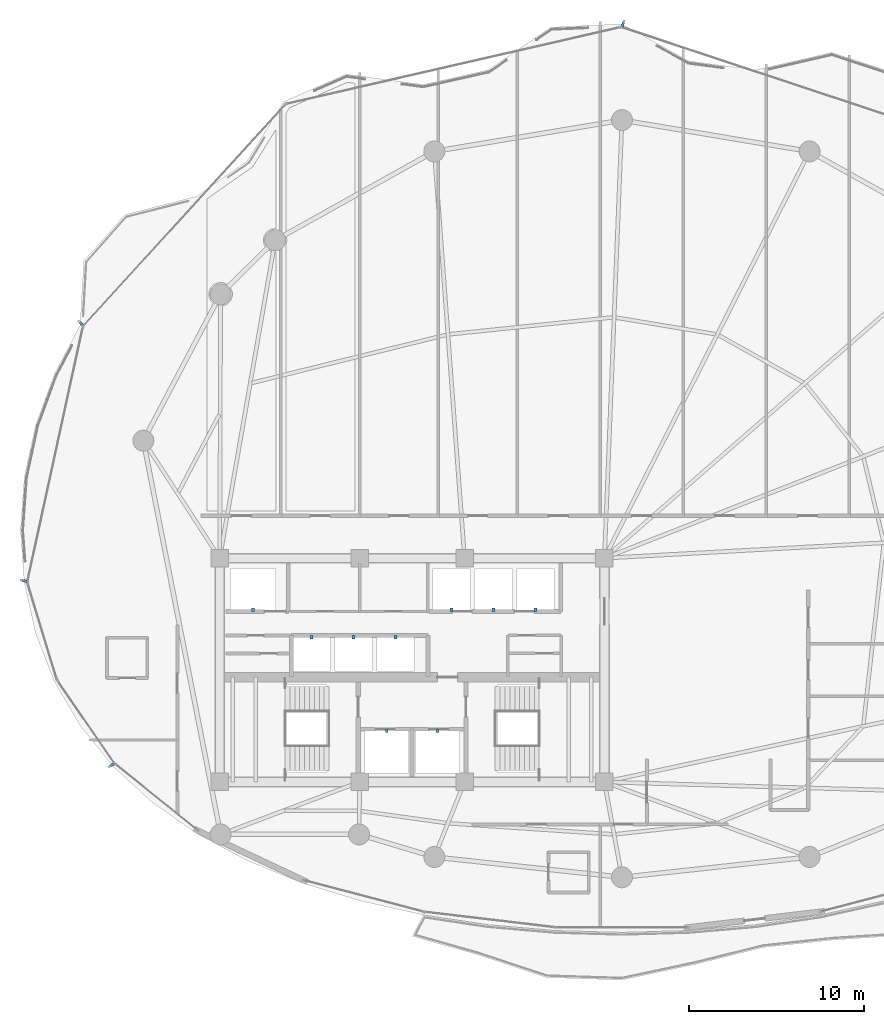
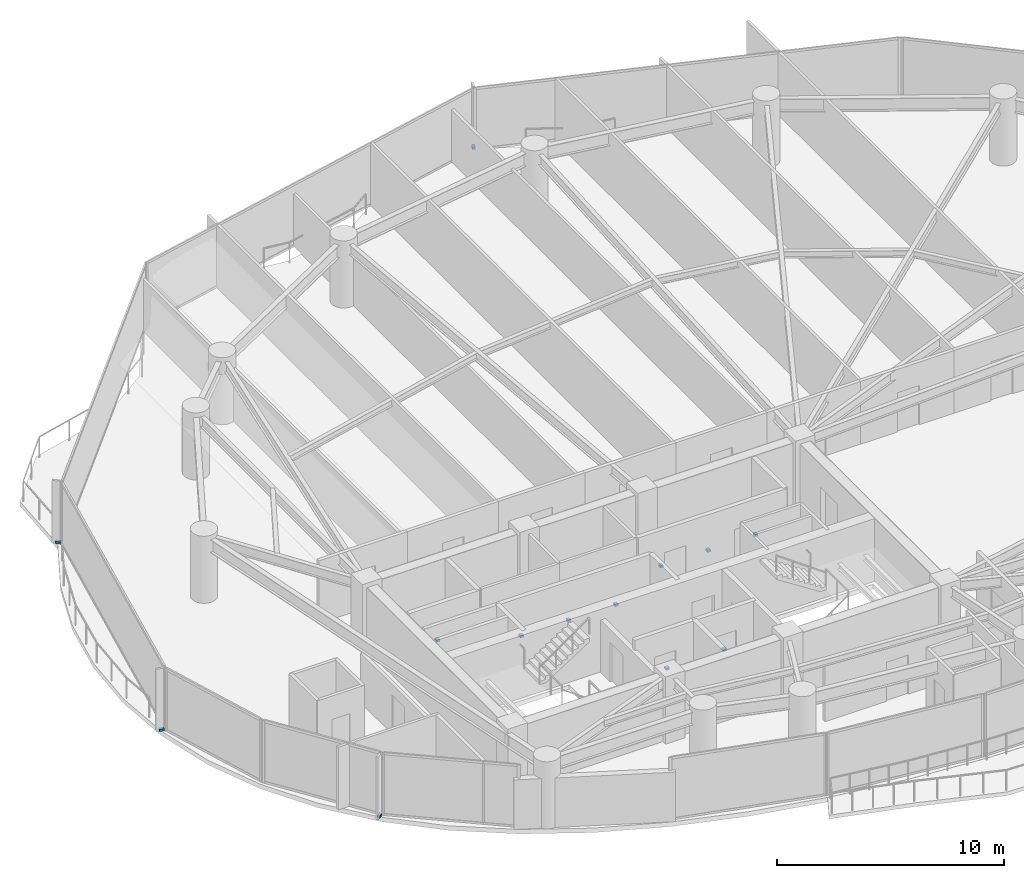
# One storey, part 29 of 34: 13 discrete accessories.
"""IFC4 building model written with IfcOpenShell, lengths in metres."""

import ifcopenshell
import ifcopenshell.guid

model = None  # the IFC model being written
_history = None  # IfcOwnerHistory: only IFC2X3 demands one
_inside = {}  # id of a spatial element -> (the spatial element, [elements in it])
_under = {}  # id of a project, library or spatial element -> (it, [spatial elements below it])
_declared = {}  # id of a project -> (the project, [libraries it declares])
_typed = {}  # id of a type object -> (the type object, [elements of that type])
_made_of = {}  # id of a material, layer set ... -> (it, [elements and type objects made of it])


def new_model(schema):
    """Start an empty IFC model of exactly this schema.

    Asked for "IFC4X3", IfcOpenShell would pick the latest addendum, in which some entities
    have other attributes; the version numbers below select the first issue.
    IFC2X3 requires an IfcOwnerHistory on every rooted entity: one is made here for all.
    """
    global model, _history
    if schema == "IFC4X3":
        model = ifcopenshell.file(schema_version=(4, 3, 0, 0))
    else:
        model = ifcopenshell.file(schema=schema)
    _inside.clear()
    _under.clear()
    _declared.clear()
    _typed.clear()
    _made_of.clear()
    _history = None
    if model.schema == "IFC2X3":
        org = make("IfcOrganization", Name="unknown")
        user = make(
            "IfcPersonAndOrganization",
            ThePerson=make("IfcPerson", FamilyName="unknown"),
            TheOrganization=org,
        )
        app = make(
            "IfcApplication",
            ApplicationDeveloper=org,
            Version="unknown",
            ApplicationFullName="unknown",
            ApplicationIdentifier="unknown",
        )
        _history = make(
            "IfcOwnerHistory",
            OwningUser=user,
            OwningApplication=app,
            ChangeAction="ADDED",
            CreationDate=0,
        )
    return model


def make(cls, **values):
    """One entity of the class cls with the attributes given. An attribute that is None is left unset."""
    return model.create_entity(
        cls, **{name: value for name, value in values.items() if value is not None}
    )


def rooted(cls, **values):
    """An entity with a GlobalId (a new one), such as an element, a storey or a relation."""
    return make(cls, GlobalId=ifcopenshell.guid.new(), OwnerHistory=_history, **values)


def si_unit(unit_type, name, prefix=None):
    """IfcSIUnit, for example si_unit("LENGTHUNIT", "METRE", prefix="MILLI")."""
    return make("IfcSIUnit", UnitType=unit_type, Prefix=prefix, Name=name)


def assignment(units):
    """IfcUnitAssignment: the units of a project."""
    return None if units is None else make("IfcUnitAssignment", Units=units)


def point(xyz):
    """IfcCartesianPoint."""
    return None if xyz is None else make("IfcCartesianPoint", Coordinates=xyz)


def direction(xyz):
    """IfcDirection."""
    return None if xyz is None else make("IfcDirection", DirectionRatios=xyz)


def frame(location, z_axis=None, x_axis=None):
    """IfcAxis2Placement3D, a coordinate frame: its origin and axes. An axis left out is left unset."""
    return make(
        "IfcAxis2Placement3D",
        Location=point(location),
        Axis=direction(z_axis),
        RefDirection=direction(x_axis),
    )


def frame_2d(location, x_axis=None):
    """IfcAxis2Placement2D, a coordinate frame in the plane: its origin and x axis."""
    return make(
        "IfcAxis2Placement2D", Location=point(location), RefDirection=direction(x_axis)
    )


def origin():
    """The frame at (0, 0, 0) with its axes left unset."""
    return frame((0.0, 0.0, 0.0))


def origin_2d():
    """The frame at (0, 0) in the plane with its x axis left unset."""
    return frame_2d((0.0, 0.0))


def place(relative_to, where):
    """IfcLocalPlacement: puts the frame where relative to a parent placement (None: the world)."""
    return make(
        "IfcLocalPlacement", PlacementRelTo=relative_to, RelativePlacement=where
    )


def context(
    kind, dimensions, precision=None, world=None, true_north=None, identifier=None
):
    """IfcGeometricRepresentationContext, for example the 3D "Model" context."""
    return make(
        "IfcGeometricRepresentationContext",
        ContextIdentifier=identifier,
        ContextType=kind,
        CoordinateSpaceDimension=dimensions,
        Precision=precision,
        WorldCoordinateSystem=world,
        TrueNorth=true_north,
    )


def subcontext(parent, identifier, kind, view, scale=None):
    """IfcGeometricRepresentationSubContext, for example "Body" below "Model"."""
    return make(
        "IfcGeometricRepresentationSubContext",
        ContextIdentifier=identifier,
        ContextType=kind,
        ParentContext=parent,
        TargetScale=scale,
        TargetView=view,
    )


def project(units=None, contexts=None):
    """IfcProject with its units and contexts."""
    return rooted(
        "IfcProject",
        Name="project",
        RepresentationContexts=contexts,
        UnitsInContext=assignment(units),
    )


def spatial(cls, under=None, at=None, **own):
    """A site, building, storey or space (cls), placed at a placement, below another one or the project."""
    s = rooted(cls, ObjectPlacement=at, **own)
    if under is not None:
        _under.setdefault(under.id(), (under, []))[1].append(s)
    return s


def profile(cls, at=None, kind="AREA", **sizes):
    """A parametric profile (cls). Its sizes go by their IFC names, for example OverallWidth=200.0."""
    return make(cls, ProfileType=kind, Position=at, **sizes)


def rectangle(**sizes):
    """IfcRectangleProfileDef."""
    return profile("IfcRectangleProfileDef", **sizes)


def extrude(swept, where, along, depth):
    """IfcExtrudedAreaSolid: the profile swept, set in the frame where, extruded along a direction by depth."""
    return make(
        "IfcExtrudedAreaSolid",
        SweptArea=swept,
        Position=where,
        ExtrudedDirection=direction(along),
        Depth=depth,
    )


def shape(context_of_items, identifier, shape_type, items):
    """IfcShapeRepresentation: the items that make up one representation, for example the "Body"."""
    return make(
        "IfcShapeRepresentation",
        ContextOfItems=context_of_items,
        RepresentationIdentifier=identifier,
        RepresentationType=shape_type,
        Items=items,
    )


def material(Name=None, Category=None):
    """IfcMaterial."""
    return make("IfcMaterial", Name=Name, Category=Category)


def made_of(thing, what):
    """Note that an element or type object is made of a material, layer set ...; save() writes the relation."""
    if what is not None:
        _made_of.setdefault(what.id(), (what, []))[1].append(thing)
    return thing


def type_object(cls, material=None, **own):
    """A type object (cls), such as IfcWallType, which elements share."""
    return made_of(rooted(cls, **own), material)


def element(
    cls,
    number,
    at=None,
    inside=None,
    cuts=None,
    type_object=None,
    material=None,
    context=None,
    identifier="Body",
    shape_type=None,
    held_by="IfcProductDefinitionShape",
    body=None,
    shapes=None,
    **own,
):
    """One element of the class cls, such as IfcWall. Its Tag is "e" and its number.

    at: its placement. inside: the storey or other place that contains it. cuts: it is an
    opening in that element (IfcRelVoidsElement). A single representation is given by context,
    identifier, shape_type and body (its items); several are given by shapes. held_by: the class
    of the entity that holds the representations. save() writes the other relations.
    """
    e = rooted(cls, Tag="e%d" % number, ObjectPlacement=at, **own)
    if body is not None:
        shapes = [shape(context, identifier, shape_type, body)]
    if shapes is not None:
        e.Representation = make(held_by, Representations=shapes)
    if inside is not None:
        _inside.setdefault(inside.id(), (inside, []))[1].append(e)
    if cuts is not None:
        rooted(
            "IfcRelVoidsElement", RelatingBuildingElement=cuts, RelatedOpeningElement=e
        )
    if type_object is not None:
        _typed.setdefault(type_object.id(), (type_object, []))[1].append(e)
    return made_of(e, material)


def aggregate(whole, parts):
    """IfcRelAggregates: a whole, such as a stair, and the parts it consists of."""
    return rooted("IfcRelAggregates", RelatingObject=whole, RelatedObjects=parts)


def save(model, path):
    """Write the relations noted so far, then the file.

    IfcRelAggregates (storeys below a building ...), IfcRelContainedInSpatialStructure (elements
    in a storey), IfcRelDefinesByType, IfcRelAssociatesMaterial and IfcRelDeclares: one each for
    every whole, place, type object, material and project.
    """
    for whole, parts in _under.values():
        aggregate(whole, parts)
    for where, things in _inside.values():
        rooted(
            "IfcRelContainedInSpatialStructure",
            RelatedElements=things,
            RelatingStructure=where,
        )
    for kind, things in _typed.values():
        rooted("IfcRelDefinesByType", RelatedObjects=things, RelatingType=kind)
    for what, things in _made_of.values():
        rooted("IfcRelAssociatesMaterial", RelatedObjects=things, RelatingMaterial=what)
    for by, libraries in _declared.values():
        rooted("IfcRelDeclares", RelatingContext=by, RelatedDefinitions=libraries)
    model.write(path)


model = new_model("IFC4")

# Units and contexts
model_context = context("Model", 3, precision=1e-05, world=origin(), true_north=direction((0.0, 1.0)))
body_context = subcontext(model_context, "Body", "Model", "MODEL_VIEW")
ifc_project = project(units=[si_unit("LENGTHUNIT", "METRE"), si_unit("AREAUNIT", "SQUARE_METRE"), si_unit("VOLUMEUNIT", "CUBIC_METRE"), si_unit("PLANEANGLEUNIT", "RADIAN"), si_unit("MASSUNIT", "GRAM", prefix="KILO")], contexts=[model_context])

# Site, building, storey
site_placement = place(None, origin())
site = spatial("IfcSite", under=ifc_project, at=site_placement, CompositionType="ELEMENT")
building_placement = place(site_placement, origin())
building = spatial("IfcBuilding", under=site, at=building_placement, Name="Kazevale Care Tower and Concert Hall", CompositionType="ELEMENT")
storey_placement = place(building_placement, frame((0.0, 0.0, 174.60009765625)))
storey = spatial("IfcBuildingStorey", under=building, at=storey_placement, Name="L46", CompositionType="ELEMENT", Elevation=174.60009765625)

# Discrete accessories
ifc_material = material(Name="Stainless Steel 316", Category="steel")
discrete_accessory_type_1 = type_object("IfcDiscreteAccessoryType", Name="Facade Fin Stainless Anchor Bracket BRK-1", PredefinedType="BRACKET", material=ifc_material)
for number, where, z_axis, x_axis, name in (
    (1, (15.84130859375, 24.574462890625, -0.000244140625), (0.0, 0.0, 1.0), (-0.823334533242, -0.567556381667, 0.0), "cw:L46:f11:brk"),
    (2, (10.83740234375, 35.099365234375, -0.000244140625), (0.0, 0.0, 1.0), (-0.97708274037, 0.212859856409, 0.0), "cw:L46:f13:brk"),
    (3, (14.08544921875, 49.80908203125, -0.000244140625), (0.0, 0.0, 1.0), (-0.738455340626, 0.674302387584, 0.0), "cw:L46:f14:brk"),
    (4, (45.049560546875, 66.916748046875, -0.000244140625), (0.0, 0.0, 1.0), (0.314820866332, 0.949151106053, 0.0), "cw:L46:f16:brk"),
):
    element("IfcDiscreteAccessory", number, at=place(storey_placement, frame(where, z_axis=z_axis, x_axis=x_axis)), inside=storey, type_object=discrete_accessory_type_1, Name=name, PredefinedType="BRACKET", context=body_context, shape_type="SweptSolid", body=[
        extrude(rectangle(XDim=0.239990234375, YDim=0.139892578125, at=origin_2d()), origin(), (0.0, 0.0, 1.0), 0.1201171875),
    ])
discrete_accessory_type_2 = type_object("IfcDiscreteAccessoryType", Name="Hoistway Guide-Rail Wall Bracket HBRK-1", PredefinedType="BRACKET", material=ifc_material)
for number, where, z_axis, x_axis, name in (
    (5, (31.550048828125, 26.52001953125, 1.23974609375), (0.0, 0.0, 1.0), (1.0, 0.0, 0.0), "hbrk:FFL-1:L46"),
    (6, (34.449951171875, 26.52001953125, 1.23974609375), (0.0, 0.0, 1.0), (1.0, 0.0, 0.0), "hbrk:FFL-2:L46"),
    (7, (23.89990234375, 33.449951171875, 1.23974609375), (0.0, 0.0, 1.0), (1.0, 0.0, 0.0), "hbrk:SVL-1:L46"),
    (8, (35.25, 33.449951171875, 1.23974609375), (0.0, 0.0, 1.0), (1.0, 0.0, 0.0), "hbrk:PM-1:L46"),
    (9, (37.64990234375, 33.449951171875, 1.23974609375), (0.0, 0.0, 1.0), (1.0, 0.0, 0.0), "hbrk:PM-2:L46"),
    (10, (40.050048828125, 33.449951171875, 1.23974609375), (0.0, 0.0, 1.0), (1.0, 0.0, 0.0), "hbrk:PM-3:L46"),
    (11, (27.25, 31.8798828125, 1.23974609375), (0.0, 0.0, 1.0), (1.0, 0.0, 0.0), "hbrk:PH-1:L46"),
    (12, (29.64990234375, 31.8798828125, 1.23974609375), (0.0, 0.0, 1.0), (1.0, 0.0, 0.0), "hbrk:PH-2:L46"),
    (13, (32.050048828125, 31.8798828125, 1.23974609375), (0.0, 0.0, 1.0), (1.0, 0.0, 0.0), "hbrk:PH-3:L46"),
):
    element("IfcDiscreteAccessory", number, at=place(storey_placement, frame(where, z_axis=z_axis, x_axis=x_axis)), inside=storey, type_object=discrete_accessory_type_2, Name=name, PredefinedType="BRACKET", context=body_context, shape_type="SweptSolid", body=[
        extrude(rectangle(XDim=0.159912109375, YDim=0.179931640625, at=origin_2d()), origin(), (0.0, 0.0, 1.0), 0.1201171875),
    ])

save(model, "model.ifc")
